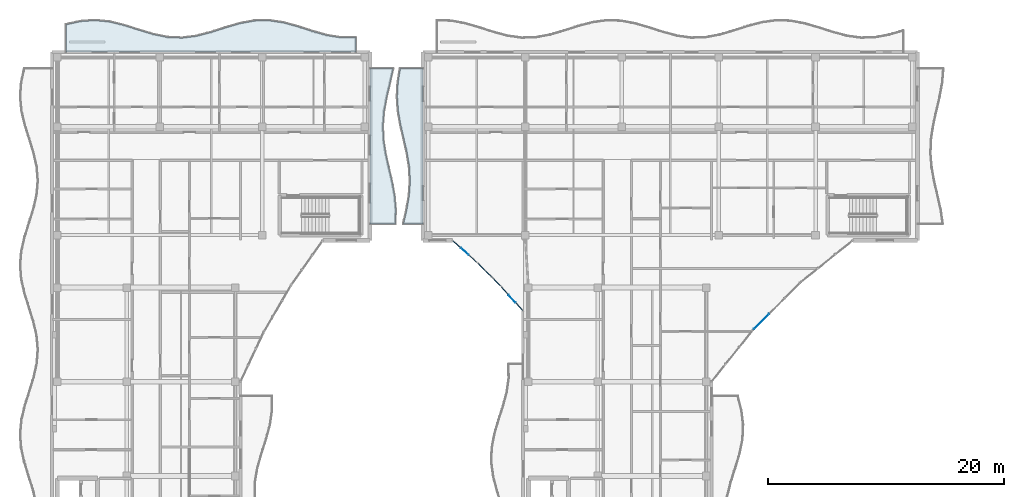
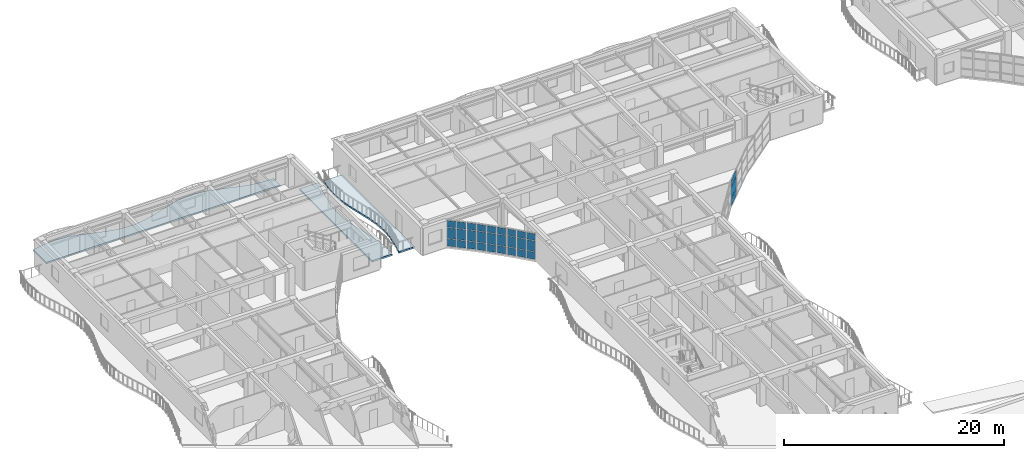
# One storey, part 73 of 128: 30 plates, 3 slabs, 4 elements without a shape of their own.
"""IFC4 building model written with IfcOpenShell, lengths in metres."""

from ifc_helpers import new_model, si_unit, direction, frame, origin, origin_2d, place, context, subcontext, project, spatial, polyline, rectangle, outline, extrude, material, layer, layer_set, type_object, element, aggregate, save


model = new_model("IFC4")

# Units and contexts
model_context = context("Model", 3, precision=1e-05, world=origin(), true_north=direction((0.0, 1.0)))
body_context = subcontext(model_context, "Body", "Model", "MODEL_VIEW")
ifc_project = project(units=[si_unit("LENGTHUNIT", "METRE"), si_unit("AREAUNIT", "SQUARE_METRE"), si_unit("VOLUMEUNIT", "CUBIC_METRE"), si_unit("PLANEANGLEUNIT", "RADIAN"), si_unit("MASSUNIT", "GRAM", prefix="KILO")], contexts=[model_context])

# Site, building, storey
site_placement = place(None, origin())
site = spatial("IfcSite", under=ifc_project, at=site_placement, CompositionType="ELEMENT")
building_placement = place(site_placement, origin())
building = spatial("IfcBuilding", under=site, at=building_placement, Name="Keldmere Railside Commons", CompositionType="ELEMENT")
storey_placement = place(building_placement, frame((0.0, 0.0, 4.159912109375)))
storey = spatial("IfcBuildingStorey", under=building, at=storey_placement, Name="L01", CompositionType="ELEMENT", Elevation=4.159912109375)

# Curtain wall, plates
ifc_material_1 = material(Name="Thermally Broken Aluminium", Category="aluminium")
ifc_layer_1 = layer(ifc_material_1, 0.159912109375, Name="Court Chord Wintergarden CW 5400x2850")
ifc_layer_set_1 = layer_set([ifc_layer_1], Name="Thermally Broken Aluminium")
curtain_wall_type_1 = type_object("IfcCurtainWallType", Name="Court Chord Wintergarden CW 5400x2850", PredefinedType="NOTDEFINED", material=ifc_layer_set_1)
curtain_wall_1_placement = place(storey_placement, origin())
curtain_wall_1 = element("IfcCurtainWall", 1, at=curtain_wall_1_placement, inside=storey, type_object=curtain_wall_type_1, Name="CW-13 CW-L01-032", PredefinedType="NOTDEFINED")
ifc_material_2 = material(Name="Insulated Aluminium Spandrel Panel", Category="aluminium")
ifc_layer_2 = layer(ifc_material_2, 0.0439453125, Name="Insulated Ocher Spandrel Panel 44")
ifc_layer_set_2 = layer_set([ifc_layer_2], Name="Insulated Aluminium Spandrel Panel")
plate_type_1 = type_object("IfcPlateType", Name="Insulated Ocher Spandrel Panel 44", PredefinedType="CURTAIN_PANEL", material=ifc_layer_set_2)
plate_1_placement = place(storey_placement, frame((68.23486328125, 93.11083984375, 0.06494140625), z_axis=(0.0, 0.0, 1.0), x_axis=(-0.707106781187, -0.707106781187, 0.0)))
plate_1 = element("IfcPlate", 2, at=plate_1_placement, type_object=plate_type_1, Name="CW-13 panel 3.1", PredefinedType="CURTAIN_PANEL", context=body_context, shape_type="SweptSolid", body=[
    extrude(rectangle(XDim=1.795654296875, YDim=0.0439453125, at=origin_2d()), origin(), (0.0, 0.0, 1.0), 0.802490234375),
])
plate_2_placement = place(storey_placement, frame((68.23486328125, 93.11083984375, 0.9326171875), z_axis=(0.0, 0.0, 1.0), x_axis=(-0.707106781187, -0.707106781187, 0.0)))
plate_2 = element("IfcPlate", 3, at=plate_2_placement, type_object=plate_type_1, Name="CW-13 panel 3.2", PredefinedType="CURTAIN_PANEL", context=body_context, shape_type="SweptSolid", body=[
    extrude(rectangle(XDim=1.795654296875, YDim=0.0439453125, at=origin_2d()), origin(), (0.0, 0.0, 1.0), 1.18505859375),
])
plate_3_placement = place(storey_placement, frame((68.23486328125, 93.11083984375, 2.1826171875), z_axis=(0.0, 0.0, 1.0), x_axis=(-0.707106781187, -0.707106781187, 0.0)))
plate_3 = element("IfcPlate", 4, at=plate_3_placement, type_object=plate_type_1, Name="CW-13 panel 3.3", PredefinedType="CURTAIN_PANEL", context=body_context, shape_type="SweptSolid", body=[
    extrude(rectangle(XDim=1.795654296875, YDim=0.0439453125, at=origin_2d()), origin(), (0.0, 0.0, 1.0), 0.732421875),
])
aggregate(curtain_wall_1, [plate_1, plate_2, plate_3])

ifc_layer_3 = layer(ifc_material_1, 0.159912109375, Name="Court Chord Wintergarden CW 4800x2850")
ifc_layer_set_3 = layer_set([ifc_layer_3], Name="Thermally Broken Aluminium")
curtain_wall_type_2 = type_object("IfcCurtainWallType", Name="Court Chord Wintergarden CW 4800x2850", PredefinedType="NOTDEFINED", material=ifc_layer_set_3)
curtain_wall_2_placement = place(storey_placement, origin())
curtain_wall_2 = element("IfcCurtainWall", 5, at=curtain_wall_2_placement, inside=storey, type_object=curtain_wall_type_2, Name="CW-12 CW-L01-034", PredefinedType="NOTDEFINED")
plate_4_placement = place(storey_placement, frame((43.74462890625, 98.435791015625, 0.06494140625), z_axis=(0.0, 0.0, 1.0), x_axis=(-0.744557333277, 0.667558519879, 0.0)))
plate_4 = element("IfcPlate", 6, at=plate_4_placement, type_object=plate_type_1, Name="CW-12 panel 1.1", PredefinedType="CURTAIN_PANEL", context=body_context, shape_type="SweptSolid", body=[
    extrude(rectangle(XDim=0.84619140625, YDim=0.0439453125, at=origin_2d()), origin(), (0.0, 0.0, 1.0), 0.802490234375),
])
plate_5_placement = place(storey_placement, frame((43.74462890625, 98.435791015625, 0.9326171875), z_axis=(0.0, 0.0, 1.0), x_axis=(-0.744557333277, 0.667558519879, 0.0)))
plate_5 = element("IfcPlate", 7, at=plate_5_placement, type_object=plate_type_1, Name="CW-12 panel 1.2", PredefinedType="CURTAIN_PANEL", context=body_context, shape_type="SweptSolid", body=[
    extrude(rectangle(XDim=0.84619140625, YDim=0.0439453125, at=origin_2d()), origin(), (0.0, 0.0, 1.0), 1.18505859375),
])
plate_6_placement = place(storey_placement, frame((43.74462890625, 98.435791015625, 2.1826171875), z_axis=(0.0, 0.0, 1.0), x_axis=(-0.744557333277, 0.667558519879, 0.0)))
plate_6 = element("IfcPlate", 8, at=plate_6_placement, type_object=plate_type_1, Name="CW-12 panel 1.3", PredefinedType="CURTAIN_PANEL", context=body_context, shape_type="SweptSolid", body=[
    extrude(rectangle(XDim=0.84619140625, YDim=0.0439453125, at=origin_2d()), origin(), (0.0, 0.0, 1.0), 0.732421875),
])
plate_7_placement = place(storey_placement, frame((43.053955078125, 99.054931640625, 0.06494140625), z_axis=(0.0, 0.0, 1.0), x_axis=(-0.744557333277, 0.667558519879, 0.0)))
plate_7 = element("IfcPlate", 9, at=plate_7_placement, type_object=plate_type_1, Name="CW-12 panel 2.1", PredefinedType="CURTAIN_PANEL", context=body_context, shape_type="SweptSolid", body=[
    extrude(rectangle(XDim=0.878662109375, YDim=0.0439453125, at=origin_2d()), origin(), (0.0, 0.0, 1.0), 0.802490234375),
])
plate_8_placement = place(storey_placement, frame((43.053955078125, 99.054931640625, 0.9326171875), z_axis=(0.0, 0.0, 1.0), x_axis=(-0.744557333277, 0.667558519879, 0.0)))
plate_8 = element("IfcPlate", 10, at=plate_8_placement, type_object=plate_type_1, Name="CW-12 panel 2.2", PredefinedType="CURTAIN_PANEL", context=body_context, shape_type="SweptSolid", body=[
    extrude(rectangle(XDim=0.878662109375, YDim=0.0439453125, at=origin_2d()), origin(), (0.0, 0.0, 1.0), 1.18505859375),
])
plate_9_placement = place(storey_placement, frame((43.053955078125, 99.054931640625, 2.1826171875), z_axis=(0.0, 0.0, 1.0), x_axis=(-0.744557333277, 0.667558519879, 0.0)))
plate_9 = element("IfcPlate", 11, at=plate_9_placement, type_object=plate_type_1, Name="CW-12 panel 2.3", PredefinedType="CURTAIN_PANEL", context=body_context, shape_type="SweptSolid", body=[
    extrude(rectangle(XDim=0.878662109375, YDim=0.0439453125, at=origin_2d()), origin(), (0.0, 0.0, 1.0), 0.732421875),
])
plate_10_placement = place(storey_placement, frame((42.363525390625, 99.674072265625, 0.06494140625), z_axis=(0.0, 0.0, 1.0), x_axis=(-0.744557333277, 0.667558519879, 0.0)))
plate_10 = element("IfcPlate", 12, at=plate_10_placement, type_object=plate_type_1, Name="CW-12 panel 3.1", PredefinedType="CURTAIN_PANEL", context=body_context, shape_type="SweptSolid", body=[
    extrude(rectangle(XDim=0.84619140625, YDim=0.0439453125, at=origin_2d()), origin(), (0.0, 0.0, 1.0), 0.802490234375),
])
plate_11_placement = place(storey_placement, frame((42.363525390625, 99.674072265625, 0.9326171875), z_axis=(0.0, 0.0, 1.0), x_axis=(-0.744557333277, 0.667558519879, 0.0)))
plate_11 = element("IfcPlate", 13, at=plate_11_placement, type_object=plate_type_1, Name="CW-12 panel 3.2", PredefinedType="CURTAIN_PANEL", context=body_context, shape_type="SweptSolid", body=[
    extrude(rectangle(XDim=0.84619140625, YDim=0.0439453125, at=origin_2d()), origin(), (0.0, 0.0, 1.0), 1.18505859375),
])
plate_12_placement = place(storey_placement, frame((42.363525390625, 99.674072265625, 2.1826171875), z_axis=(0.0, 0.0, 1.0), x_axis=(-0.744557333277, 0.667558519879, 0.0)))
plate_12 = element("IfcPlate", 14, at=plate_12_placement, type_object=plate_type_1, Name="CW-12 panel 3.3", PredefinedType="CURTAIN_PANEL", context=body_context, shape_type="SweptSolid", body=[
    extrude(rectangle(XDim=0.84619140625, YDim=0.0439453125, at=origin_2d()), origin(), (0.0, 0.0, 1.0), 0.732421875),
])
aggregate(curtain_wall_2, [plate_4, plate_5, plate_6, plate_7, plate_8, plate_9, plate_10, plate_11, plate_12])

curtain_wall_3_placement = place(storey_placement, origin())
curtain_wall_3 = element("IfcCurtainWall", 15, at=curtain_wall_3_placement, inside=storey, type_object=curtain_wall_type_2, Name="CW-12 CW-L01-036", PredefinedType="NOTDEFINED")
plate_13_placement = place(storey_placement, frame((47.674072265625, 94.363525390625, 0.06494140625), z_axis=(0.0, 0.0, 1.0), x_axis=(-0.667558519879, 0.744557333277, 0.0)))
plate_13 = element("IfcPlate", 16, at=plate_13_placement, type_object=plate_type_1, Name="CW-12 panel 1.1", PredefinedType="CURTAIN_PANEL", context=body_context, shape_type="SweptSolid", body=[
    extrude(rectangle(XDim=0.84619140625, YDim=0.0439453125, at=origin_2d()), origin(), (0.0, 0.0, 1.0), 0.802490234375),
])
plate_14_placement = place(storey_placement, frame((47.674072265625, 94.363525390625, 0.9326171875), z_axis=(0.0, 0.0, 1.0), x_axis=(-0.667558519879, 0.744557333277, 0.0)))
plate_14 = element("IfcPlate", 17, at=plate_14_placement, type_object=plate_type_1, Name="CW-12 panel 1.2", PredefinedType="CURTAIN_PANEL", context=body_context, shape_type="SweptSolid", body=[
    extrude(rectangle(XDim=0.84619140625, YDim=0.0439453125, at=origin_2d()), origin(), (0.0, 0.0, 1.0), 1.18505859375),
])
plate_15_placement = place(storey_placement, frame((47.674072265625, 94.363525390625, 2.1826171875), z_axis=(0.0, 0.0, 1.0), x_axis=(-0.667558519879, 0.744557333277, 0.0)))
plate_15 = element("IfcPlate", 18, at=plate_15_placement, type_object=plate_type_1, Name="CW-12 panel 1.3", PredefinedType="CURTAIN_PANEL", context=body_context, shape_type="SweptSolid", body=[
    extrude(rectangle(XDim=0.84619140625, YDim=0.0439453125, at=origin_2d()), origin(), (0.0, 0.0, 1.0), 0.732421875),
])
plate_16_placement = place(storey_placement, frame((47.054931640625, 95.053955078125, 0.06494140625), z_axis=(0.0, 0.0, 1.0), x_axis=(-0.667558519879, 0.744557333277, 0.0)))
plate_16 = element("IfcPlate", 19, at=plate_16_placement, type_object=plate_type_1, Name="CW-12 panel 2.1", PredefinedType="CURTAIN_PANEL", context=body_context, shape_type="SweptSolid", body=[
    extrude(rectangle(XDim=0.878662109375, YDim=0.0439453125, at=origin_2d()), origin(), (0.0, 0.0, 1.0), 0.802490234375),
])
plate_17_placement = place(storey_placement, frame((47.054931640625, 95.053955078125, 0.9326171875), z_axis=(0.0, 0.0, 1.0), x_axis=(-0.667558519879, 0.744557333277, 0.0)))
plate_17 = element("IfcPlate", 20, at=plate_17_placement, type_object=plate_type_1, Name="CW-12 panel 2.2", PredefinedType="CURTAIN_PANEL", context=body_context, shape_type="SweptSolid", body=[
    extrude(rectangle(XDim=0.878662109375, YDim=0.0439453125, at=origin_2d()), origin(), (0.0, 0.0, 1.0), 1.18505859375),
])
plate_18_placement = place(storey_placement, frame((47.054931640625, 95.053955078125, 2.1826171875), z_axis=(0.0, 0.0, 1.0), x_axis=(-0.667558519879, 0.744557333277, 0.0)))
plate_18 = element("IfcPlate", 21, at=plate_18_placement, type_object=plate_type_1, Name="CW-12 panel 2.3", PredefinedType="CURTAIN_PANEL", context=body_context, shape_type="SweptSolid", body=[
    extrude(rectangle(XDim=0.878662109375, YDim=0.0439453125, at=origin_2d()), origin(), (0.0, 0.0, 1.0), 0.732421875),
])
plate_19_placement = place(storey_placement, frame((46.435791015625, 95.74462890625, 0.06494140625), z_axis=(0.0, 0.0, 1.0), x_axis=(-0.667558519879, 0.744557333277, 0.0)))
plate_19 = element("IfcPlate", 22, at=plate_19_placement, type_object=plate_type_1, Name="CW-12 panel 3.1", PredefinedType="CURTAIN_PANEL", context=body_context, shape_type="SweptSolid", body=[
    extrude(rectangle(XDim=0.84619140625, YDim=0.0439453125, at=origin_2d()), origin(), (0.0, 0.0, 1.0), 0.802490234375),
])
plate_20_placement = place(storey_placement, frame((46.435791015625, 95.74462890625, 0.9326171875), z_axis=(0.0, 0.0, 1.0), x_axis=(-0.667558519879, 0.744557333277, 0.0)))
plate_20 = element("IfcPlate", 23, at=plate_20_placement, type_object=plate_type_1, Name="CW-12 panel 3.2", PredefinedType="CURTAIN_PANEL", context=body_context, shape_type="SweptSolid", body=[
    extrude(rectangle(XDim=0.84619140625, YDim=0.0439453125, at=origin_2d()), origin(), (0.0, 0.0, 1.0), 1.18505859375),
])
plate_21_placement = place(storey_placement, frame((46.435791015625, 95.74462890625, 2.1826171875), z_axis=(0.0, 0.0, 1.0), x_axis=(-0.667558519879, 0.744557333277, 0.0)))
plate_21 = element("IfcPlate", 24, at=plate_21_placement, type_object=plate_type_1, Name="CW-12 panel 3.3", PredefinedType="CURTAIN_PANEL", context=body_context, shape_type="SweptSolid", body=[
    extrude(rectangle(XDim=0.84619140625, YDim=0.0439453125, at=origin_2d()), origin(), (0.0, 0.0, 1.0), 0.732421875),
])
aggregate(curtain_wall_3, [plate_13, plate_14, plate_15, plate_16, plate_17, plate_18, plate_19, plate_20, plate_21])

curtain_wall_4_placement = place(storey_placement, origin())
curtain_wall_4 = element("IfcCurtainWall", 25, at=curtain_wall_4_placement, inside=storey, type_object=curtain_wall_type_1, Name="CW-13 CW-L01-035", PredefinedType="NOTDEFINED")
ifc_layer_4 = layer(ifc_material_2, 0.050048828125, Name="Insulated Terracotta Spandrel Panel 50")
ifc_layer_set_4 = layer_set([ifc_layer_4], Name="Insulated Aluminium Spandrel Panel")
plate_type_2 = type_object("IfcPlateType", Name="Insulated Terracotta Spandrel Panel 50", PredefinedType="CURTAIN_PANEL", material=ifc_layer_set_4)
plate_22_placement = place(storey_placement, frame((45.764892578125, 96.453125, 0.06494140625), z_axis=(0.0, 0.0, 1.0), x_axis=(-0.707106781187, 0.707106781187, 0.0)))
plate_22 = element("IfcPlate", 26, at=plate_22_placement, type_object=plate_type_2, Name="CW-13 panel 1.1", PredefinedType="CURTAIN_PANEL", context=body_context, shape_type="SweptSolid", body=[
    extrude(rectangle(XDim=0.84619140625, YDim=0.050048828125, at=origin_2d()), origin(), (0.0, 0.0, 1.0), 0.802490234375),
])
plate_23_placement = place(storey_placement, frame((45.764892578125, 96.453125, 0.9326171875), z_axis=(0.0, 0.0, 1.0), x_axis=(-0.707106781187, 0.707106781187, 0.0)))
plate_23 = element("IfcPlate", 27, at=plate_23_placement, type_object=plate_type_2, Name="CW-13 panel 1.2", PredefinedType="CURTAIN_PANEL", context=body_context, shape_type="SweptSolid", body=[
    extrude(rectangle(XDim=0.84619140625, YDim=0.050048828125, at=origin_2d()), origin(), (0.0, 0.0, 1.0), 1.18505859375),
])
plate_24_placement = place(storey_placement, frame((45.764892578125, 96.453125, 2.1826171875), z_axis=(0.0, 0.0, 1.0), x_axis=(-0.707106781187, 0.707106781187, 0.0)))
plate_24 = element("IfcPlate", 28, at=plate_24_placement, type_object=plate_type_2, Name="CW-13 panel 1.3", PredefinedType="CURTAIN_PANEL", context=body_context, shape_type="SweptSolid", body=[
    extrude(rectangle(XDim=0.84619140625, YDim=0.050048828125, at=origin_2d()), origin(), (0.0, 0.0, 1.0), 0.732421875),
])
plate_25_placement = place(storey_placement, frame((45.10888671875, 97.10888671875, 0.06494140625), z_axis=(0.0, 0.0, 1.0), x_axis=(-0.707106781187, 0.707106781187, 0.0)))
plate_25 = element("IfcPlate", 29, at=plate_25_placement, type_object=plate_type_2, Name="CW-13 panel 2.1", PredefinedType="CURTAIN_PANEL", context=body_context, shape_type="SweptSolid", body=[
    extrude(rectangle(XDim=0.878662109375, YDim=0.050048828125, at=origin_2d()), origin(), (0.0, 0.0, 1.0), 0.802490234375),
])
plate_26_placement = place(storey_placement, frame((45.10888671875, 97.10888671875, 0.9326171875), z_axis=(0.0, 0.0, 1.0), x_axis=(-0.707106781187, 0.707106781187, 0.0)))
plate_26 = element("IfcPlate", 30, at=plate_26_placement, type_object=plate_type_2, Name="CW-13 panel 2.2", PredefinedType="CURTAIN_PANEL", context=body_context, shape_type="SweptSolid", body=[
    extrude(rectangle(XDim=0.878662109375, YDim=0.050048828125, at=origin_2d()), origin(), (0.0, 0.0, 1.0), 1.18505859375),
])
plate_27_placement = place(storey_placement, frame((45.10888671875, 97.10888671875, 2.1826171875), z_axis=(0.0, 0.0, 1.0), x_axis=(-0.707106781187, 0.707106781187, 0.0)))
plate_27 = element("IfcPlate", 31, at=plate_27_placement, type_object=plate_type_2, Name="CW-13 panel 2.3", PredefinedType="CURTAIN_PANEL", context=body_context, shape_type="SweptSolid", body=[
    extrude(rectangle(XDim=0.878662109375, YDim=0.050048828125, at=origin_2d()), origin(), (0.0, 0.0, 1.0), 0.732421875),
])
plate_28_placement = place(storey_placement, frame((44.453125, 97.764892578125, 0.06494140625), z_axis=(0.0, 0.0, 1.0), x_axis=(-0.707106781187, 0.707106781187, 0.0)))
plate_28 = element("IfcPlate", 32, at=plate_28_placement, type_object=plate_type_2, Name="CW-13 panel 3.1", PredefinedType="CURTAIN_PANEL", context=body_context, shape_type="SweptSolid", body=[
    extrude(rectangle(XDim=0.84619140625, YDim=0.050048828125, at=origin_2d()), origin(), (0.0, 0.0, 1.0), 0.802490234375),
])
plate_29_placement = place(storey_placement, frame((44.453125, 97.764892578125, 0.9326171875), z_axis=(0.0, 0.0, 1.0), x_axis=(-0.707106781187, 0.707106781187, 0.0)))
plate_29 = element("IfcPlate", 33, at=plate_29_placement, type_object=plate_type_2, Name="CW-13 panel 3.2", PredefinedType="CURTAIN_PANEL", context=body_context, shape_type="SweptSolid", body=[
    extrude(rectangle(XDim=0.84619140625, YDim=0.050048828125, at=origin_2d()), origin(), (0.0, 0.0, 1.0), 1.18505859375),
])
plate_30_placement = place(storey_placement, frame((44.453125, 97.764892578125, 2.1826171875), z_axis=(0.0, 0.0, 1.0), x_axis=(-0.707106781187, 0.707106781187, 0.0)))
plate_30 = element("IfcPlate", 34, at=plate_30_placement, type_object=plate_type_2, Name="CW-13 panel 3.3", PredefinedType="CURTAIN_PANEL", context=body_context, shape_type="SweptSolid", body=[
    extrude(rectangle(XDim=0.84619140625, YDim=0.050048828125, at=origin_2d()), origin(), (0.0, 0.0, 1.0), 0.732421875),
])
aggregate(curtain_wall_4, [plate_22, plate_23, plate_24, plate_25, plate_26, plate_27, plate_28, plate_29, plate_30])

# Slabs
ifc_material_3 = material(Name="White Precast Concrete H-35 (C35/45)", Category="concrete")
ifc_layer_5 = layer(ifc_material_3, 0.179931640625, Name="Sinusoidal Wave Balcony Slab 180")
ifc_layer_set_5 = layer_set([ifc_layer_5], Name="White Precast Concrete H-35 (C35/45)")
slab_type = type_object("IfcSlabType", Name="Sinusoidal Wave Balcony Slab 180", PredefinedType="FLOOR", material=ifc_layer_set_5)
slab_1_placement = place(storey_placement, frame((0.0, 0.0, -0.179931640625)))
element("IfcSlab", 35, at=slab_1_placement, inside=storey, type_object=slab_type, Name="WB-1 D L01 N Wave Balcony", PredefinedType="FLOOR", context=body_context, shape_type="SweptSolid", body=[
    extrude(outline(polyline([(9.199951171875, 116.0), (10.429931640625, 116.0), (11.659912109375, 116.0), (12.889892578125, 116.0), (14.1201171875, 116.0), (15.35009765625, 116.0), (16.580078125, 116.0), (17.81005859375, 116.0), (19.0400390625, 116.0), (20.27001953125, 116.0), (21.5, 116.0), (22.72998046875, 116.0), (23.9599609375, 116.0), (25.18994140625, 116.0), (26.419921875, 116.0), (27.64990234375, 116.0), (28.8798828125, 116.0), (30.110107421875, 116.0), (31.340087890625, 116.0), (32.570068359375, 116.0), (33.800048828125, 116.0), (33.800048828125, 117.23095703125), (32.570068359375, 117.222900390625), (31.340087890625, 117.419677734375), (30.110107421875, 117.76513671875), (28.8798828125, 118.162841796875), (27.64990234375, 118.50048828125), (26.419921875, 118.68359375), (25.18994140625, 118.660400390625), (23.9599609375, 118.437255859375), (22.72998046875, 118.0771484375), (21.5, 117.681396484375), (20.27001953125, 117.361083984375), (19.0400390625, 117.206298828125), (17.81005859375, 117.2607421875), (16.580078125, 117.509033203125), (15.35009765625, 117.881103515625), (14.1201171875, 118.272705078125), (12.889892578125, 118.573486328125), (11.659912109375, 118.698974609375), (10.429931640625, 118.61376953125), (9.199951171875, 118.342041015625), (9.199951171875, 116.0)])), origin(), (0.0, 0.0, 1.0), 0.179931640625),
])
slab_2_placement = place(storey_placement, frame((0.0, 0.0, -0.179931640625)))
element("IfcSlab", 36, at=slab_2_placement, inside=storey, type_object=slab_type, Name="WB-1 D L01 WE Wave Balcony", PredefinedType="FLOOR", context=body_context, shape_type="SweptSolid", body=[
    extrude(outline(polyline([(37.152099609375, 101.39990234375), (37.197021484375, 102.60009765625), (37.095703125, 103.800048828125), (36.874755859375, 105.0), (36.593505859375, 106.199951171875), (36.32763671875, 107.39990234375), (36.14794921875, 108.60009765625), (36.102783203125, 109.800048828125), (36.204345703125, 111.0), (36.42529296875, 112.199951171875), (36.706298828125, 113.39990234375), (36.972412109375, 114.60009765625), (35.0, 114.60009765625), (35.0, 113.39990234375), (35.0, 112.199951171875), (35.0, 111.0), (35.0, 109.800048828125), (35.0, 108.60009765625), (35.0, 107.39990234375), (35.0, 106.199951171875), (35.0, 105.0), (35.0, 103.800048828125), (35.0, 102.60009765625), (35.0, 101.39990234375), (37.152099609375, 101.39990234375)])), origin(), (0.0, 0.0, 1.0), 0.179931640625),
])
slab_3_placement = place(storey_placement, frame((0.0, 0.0, -0.179931640625)))
element("IfcSlab", 37, at=slab_3_placement, inside=storey, type_object=slab_type, Name="WB-1 C L01 WW Wave Balcony", PredefinedType="FLOOR", context=body_context, shape_type="SweptSolid", body=[
    extrude(outline(polyline([(39.5, 101.39990234375), (39.5, 102.60009765625), (39.5, 103.800048828125), (39.5, 105.0), (39.5, 106.199951171875), (39.5, 107.39990234375), (39.5, 108.60009765625), (39.5, 109.800048828125), (39.5, 111.0), (39.5, 112.199951171875), (39.5, 113.39990234375), (39.5, 114.60009765625), (37.555419921875, 114.60009765625), (37.36279296875, 113.39990234375), (37.300537109375, 112.199951171875), (37.385498046875, 111.0), (37.594970703125, 109.800048828125), (37.872802734375, 108.60009765625), (38.14453125, 107.39990234375), (38.33740234375, 106.199951171875), (38.3994140625, 105.0), (38.314453125, 103.800048828125), (38.10498046875, 102.60009765625), (37.8271484375, 101.39990234375), (39.5, 101.39990234375)])), origin(), (0.0, 0.0, 1.0), 0.179931640625),
])

save(model, "model.ifc")
